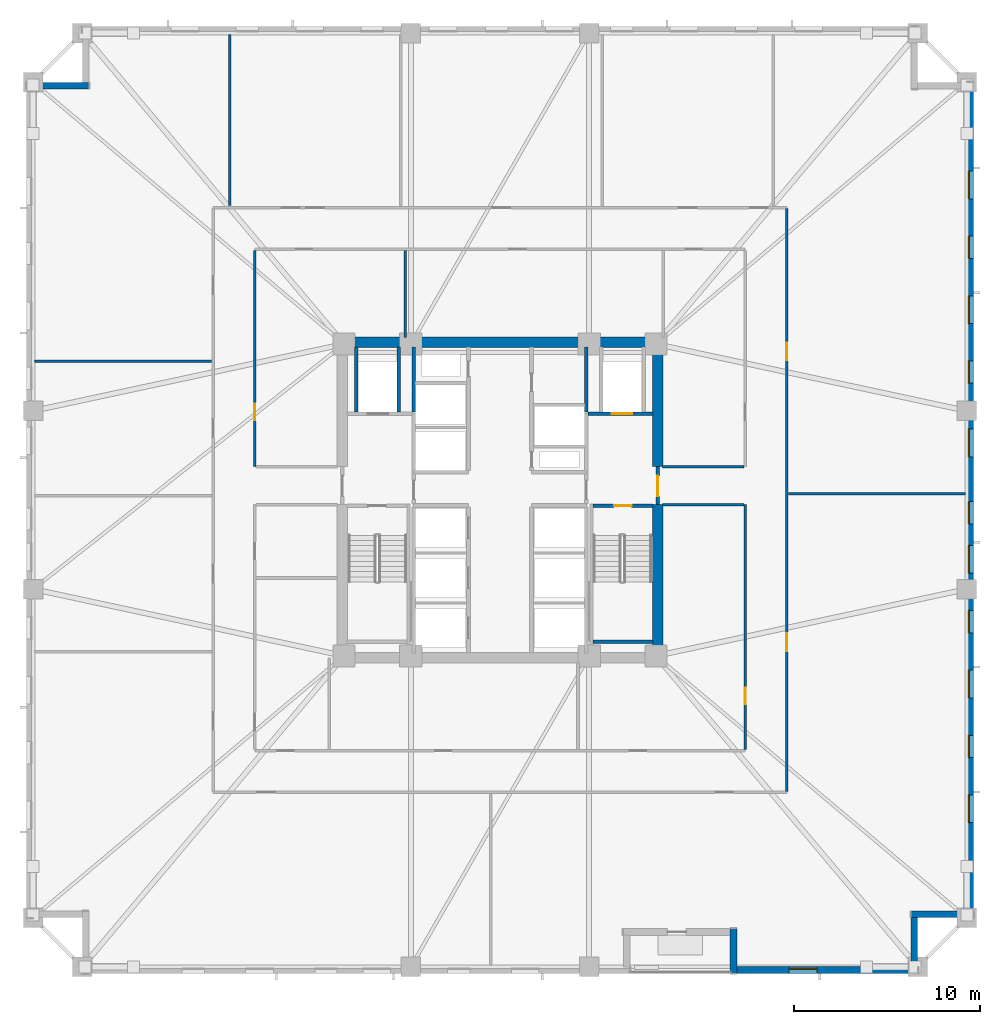
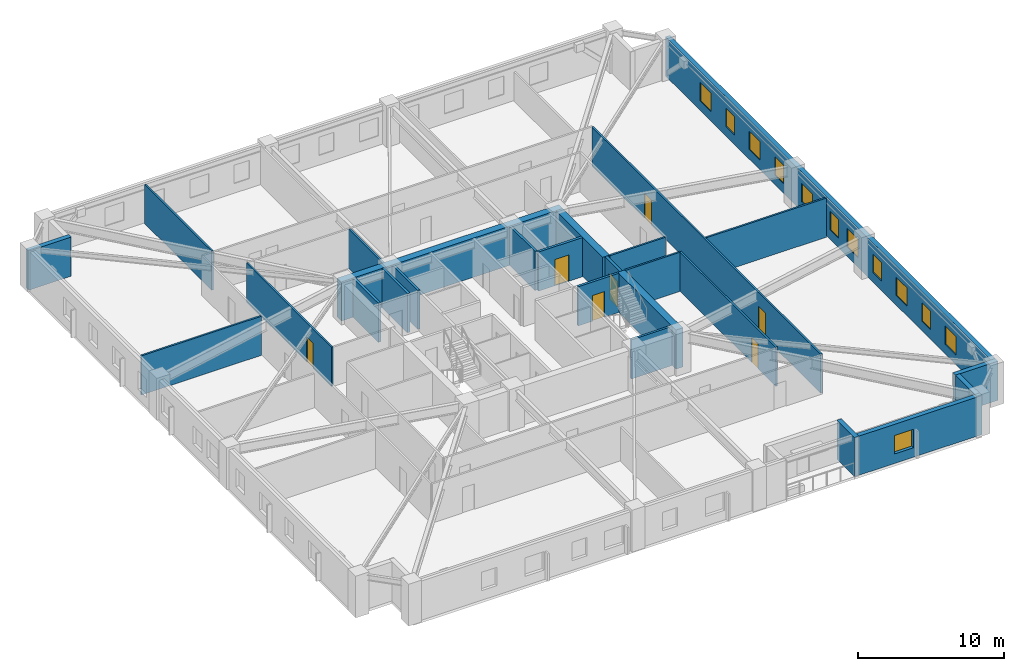
# One storey, part 4 of 11: 26 walls, 12 windows, 7 doors, 19 openings.
"""IFC4 building model written with IfcOpenShell, lengths in metres."""

from ifc_helpers import new_model, si_unit, direction, frame, frame_2d, origin, place, context, subcontext, project, spatial, rectangle, extrude, material, layer, layer_set, type_object, element, fill, save


model = new_model("IFC4")

# Units and contexts
model_context = context("Model", 3, precision=1e-05, world=origin(), true_north=direction((0.0, 1.0)))
body_context = subcontext(model_context, "Body", "Model", "MODEL_VIEW")
ifc_project = project(units=[si_unit("LENGTHUNIT", "METRE"), si_unit("AREAUNIT", "SQUARE_METRE"), si_unit("VOLUMEUNIT", "CUBIC_METRE"), si_unit("PLANEANGLEUNIT", "RADIAN"), si_unit("MASSUNIT", "GRAM", prefix="KILO")], contexts=[model_context])

# Site, building, storey
site_placement = place(None, origin())
site = spatial("IfcSite", under=ifc_project, at=site_placement, CompositionType="ELEMENT")
building_placement = place(site_placement, origin())
building = spatial("IfcBuilding", under=site, at=building_placement, Name="Cairnveth Concourse Tower", CompositionType="ELEMENT")
storey_placement = place(building_placement, frame((0.0, 0.0, 51.5)))
storey = spatial("IfcBuildingStorey", under=building, at=storey_placement, Name="L13", CompositionType="ELEMENT", Elevation=51.5)

# Walls
ifc_material_1 = material(Name="Concrete N80 (80 MPa)", Category="concrete")
ifc_layer_1 = layer(ifc_material_1, 0.550048828125)
ifc_layer_set_1 = layer_set([ifc_layer_1], Name="Concrete N80 (80 MPa)")
wall_type_1 = type_object("IfcWallType", Name="CORE SHEAR WALL 550", PredefinedType="SHEAR", material=ifc_layer_set_1)
wall_1_placement = place(storey_placement, frame((43.22509765625, 47.5, 0.0), z_axis=(0.0, 0.0, 1.0), x_axis=(1.0, 0.0, 0.0)))
element("IfcWall", 1, at=wall_1_placement, inside=storey, type_object=wall_type_1, Name="Core North Shear Wall L13", PredefinedType="SHEAR", context=body_context, shape_type="SweptSolid", body=[
    extrude(rectangle(XDim=17.5498046875, YDim=0.550048828125, at=frame_2d((8.77490234375, 0.0))), origin(), (0.0, 0.0, 1.0), 3.280029296875),
])
wall_2_placement = place(storey_placement, frame((60.5, 30.764892578125, 0.0), z_axis=(0.0, 0.0, 1.0), x_axis=(0.0, 1.0, 0.0)))
element("IfcWall", 2, at=wall_2_placement, inside=storey, type_object=wall_type_1, Name="Core East Shear Wall S L13", PredefinedType="SHEAR", context=body_context, shape_type="SweptSolid", body=[
    extrude(rectangle(XDim=7.985107421875, YDim=0.550048828125, at=frame_2d((3.99267578125, 0.0))), origin(), (0.0, 0.0, 1.0), 3.280029296875),
])
wall_3_placement = place(storey_placement, frame((60.5, 40.800048828125, 0.0), z_axis=(0.0, 0.0, 1.0), x_axis=(0.0, 1.0, 0.0)))
element("IfcWall", 3, at=wall_3_placement, inside=storey, type_object=wall_type_1, Name="Core East Shear Wall N L13", PredefinedType="SHEAR", context=body_context, shape_type="SweptSolid", body=[
    extrude(rectangle(XDim=6.43505859375, YDim=0.550048828125, at=frame_2d((3.217529296875, 0.0))), origin(), (0.0, 0.0, 1.0), 3.280029296875),
])
ifc_material_2 = material(Name="Concrete N50 (50 MPa)", Category="concrete")
ifc_layer_2 = layer(ifc_material_2, 0.179931640625)
ifc_layer_set_2 = layer_set([ifc_layer_2], Name="Concrete N50 (50 MPa)")
wall_type_2 = type_object("IfcWallType", Name="FIRE SHAFT WALL 180", PredefinedType="SOLIDWALL", material=ifc_layer_set_2)
for number, where, z_axis, x_axis, name in (
    (4, (47.35009765625, 43.735107421875, 0.0), (0.0, 0.0, 1.0), (0.0, 1.0, 0.0), "Interior Wall IW-L13-031"),
    (5, (56.64990234375, 43.735107421875, 0.0), (0.0, 0.0, 1.0), (0.0, 1.0, 0.0), "Interior Wall IW-L13-034"),
):
    element("IfcWall", number, at=place(storey_placement, frame(where, z_axis=z_axis, x_axis=x_axis)), inside=storey, type_object=wall_type_2, Name=name, PredefinedType="SOLIDWALL", context=body_context, shape_type="SweptSolid", body=[
        extrude(rectangle(XDim=3.5048828125, YDim=0.179931640625, at=frame_2d((1.75244140625, 0.0))), origin(), (0.0, 0.0, 1.0), 3.280029296875),
    ])

# Wall, opening, door
wall_4_placement = place(storey_placement, frame((57.0048828125, 38.68994140625, 0.0), z_axis=(0.0, 0.0, 1.0), x_axis=(1.0, 0.0, 0.0)))
wall_4 = element("IfcWall", 6, at=wall_4_placement, inside=storey, type_object=wall_type_2, Name="Stair ST-2 Shaft Wall NEAR L13", PredefinedType="SOLIDWALL", context=body_context, shape_type="SweptSolid", body=[
    extrude(rectangle(XDim=3.230224609375, YDim=0.179931640625, at=frame_2d((1.615234375, 0.0))), origin(), (0.0, 0.0, 1.0), 3.280029296875),
])
opening_1_placement = place(wall_4_placement, frame((1.139892578125, 0.0, 0.0)))
opening_1 = element("IfcOpeningElement", 7, at=opening_1_placement, cuts=wall_4, Name="Opening ID12", PredefinedType="OPENING", context=body_context, shape_type="SweptSolid", body=[
    extrude(rectangle(XDim=0.949951171875, YDim=2.14990234375, at=frame_2d((0.47509765625, 1.074951171875))), frame((0.0, 0.099853515625, 0.0), z_axis=(0.0, -1.0, 0.0), x_axis=(1.0, 0.0, 0.0)), (0.0, 0.0, 1.0), 0.199951171875),
])
ifc_material_3 = material(Name="Steel Grade 350", Category="steel")
door_type_1 = type_object("IfcDoorType", Name="FIRE STAIR DOOR 950X2150", OperationType="NOTDEFINED", PredefinedType="DOOR", material=ifc_material_3)
door_1_placement = place(opening_1_placement, origin())
door_1 = element("IfcDoor", 8, at=door_1_placement, inside=storey, type_object=door_type_1, Name="Stair ST-2 Fire Door L13", OperationType="SINGLE_SWING_RIGHT", OverallHeight=2.14990234375, OverallWidth=0.949951171875, PredefinedType="DOOR", context=body_context, shape_type="SweptSolid", body=[
    extrude(rectangle(XDim=0.949951171875, YDim=2.14990234375, at=frame_2d((0.47509765625, 1.074951171875))), frame((0.0, 0.02490234375, 0.0), z_axis=(0.0, -1.0, 0.0), x_axis=(1.0, 0.0, 0.0)), (0.0, 0.0, 1.0), 0.050048828125),
])
fill(opening_1, door_1)

# Walls
wall_5_placement = place(storey_placement, frame((57.0048828125, 31.360107421875, 0.0), z_axis=(0.0, 0.0, 1.0), x_axis=(1.0, 0.0, 0.0)))
element("IfcWall", 9, at=wall_5_placement, inside=storey, type_object=wall_type_2, Name="Stair ST-2 Shaft Wall FAR L13", PredefinedType="SOLIDWALL", context=body_context, shape_type="SweptSolid", body=[
    extrude(rectangle(XDim=3.230224609375, YDim=0.179931640625, at=frame_2d((1.615234375, 0.0))), origin(), (0.0, 0.0, 1.0), 3.280029296875),
])
ifc_layer_3 = layer(ifc_material_2, 0.199951171875)
ifc_layer_set_3 = layer_set([ifc_layer_3], Name="Concrete N50 (50 MPa)")
wall_type_3 = type_object("IfcWallType", Name="FIRE SHAFT WALL 200", PredefinedType="SOLIDWALL", material=ifc_layer_set_3)
for number, where, z_axis, x_axis, name in (
    (10, (46.550048828125, 43.735107421875, 0.0), (0.0, 0.0, 1.0), (0.0, 1.0, 0.0), "Interior Wall IW-L13-018"),
    (11, (44.25, 43.735107421875, 0.0), (0.0, 0.0, 1.0), (0.0, 1.0, 0.0), "Interior Wall IW-L13-019"),
):
    element("IfcWall", number, at=place(storey_placement, frame(where, z_axis=z_axis, x_axis=x_axis)), inside=storey, type_object=wall_type_3, Name=name, PredefinedType="SOLIDWALL", context=body_context, shape_type="SweptSolid", body=[
        extrude(rectangle(XDim=3.5048828125, YDim=0.199951171875, at=frame_2d((1.75244140625, 0.0))), origin(), (0.0, 0.0, 1.0), 3.280029296875),
    ])

# Wall, opening, door
wall_6_placement = place(storey_placement, frame((60.5, 38.75, 0.0), z_axis=(0.0, 0.0, 1.0), x_axis=(0.0, 1.0, 0.0)))
wall_6 = element("IfcWall", 12, at=wall_6_placement, inside=storey, type_object=wall_type_3, Name="Interior Wall IW-L13-020", PredefinedType="SOLIDWALL", context=body_context, shape_type="SweptSolid", body=[
    extrude(rectangle(XDim=2.050048828125, YDim=0.199951171875, at=frame_2d((1.02490234375, 0.0))), origin(), (0.0, 0.0, 1.0), 3.280029296875),
])
opening_2_placement = place(wall_6_placement, frame((0.449951171875, 0.0, 0.0)))
opening_2 = element("IfcOpeningElement", 13, at=opening_2_placement, cuts=wall_6, Name="Opening ID06", PredefinedType="OPENING", context=body_context, shape_type="SweptSolid", body=[
    extrude(rectangle(XDim=1.10009765625, YDim=2.14990234375, at=frame_2d((0.550048828125, 1.074951171875))), frame((0.0, 0.10986328125, 0.0), z_axis=(0.0, -1.0, 0.0), x_axis=(1.0, 0.0, 0.0)), (0.0, 0.0, 1.0), 0.219970703125),
])
door_type_2 = type_object("IfcDoorType", Name="FIRE CORRIDOR DOOR 1100X2150", OperationType="NOTDEFINED", PredefinedType="DOOR", material=ifc_material_3)
door_2_placement = place(opening_2_placement, origin())
door_2 = element("IfcDoor", 14, at=door_2_placement, inside=storey, type_object=door_type_2, Name="East Wing to FF Lobby Door L13", OperationType="SINGLE_SWING_RIGHT", OverallHeight=2.14990234375, OverallWidth=1.10009765625, PredefinedType="DOOR", context=body_context, shape_type="SweptSolid", body=[
    extrude(rectangle(XDim=1.10009765625, YDim=2.14990234375, at=frame_2d((0.550048828125, 1.074951171875))), frame((0.0, 0.02490234375, 0.0), z_axis=(0.0, -1.0, 0.0), x_axis=(1.0, 0.0, 0.0)), (0.0, 0.0, 1.0), 0.050048828125),
])
fill(opening_2, door_2)

wall_7_placement = place(storey_placement, frame((56.735107421875, 43.64990234375, 0.0), z_axis=(0.0, 0.0, 1.0), x_axis=(1.0, 0.0, 0.0)))
wall_7 = element("IfcWall", 15, at=wall_7_placement, inside=storey, type_object=wall_type_3, Name="Interior Wall IW-L13-022", PredefinedType="SOLIDWALL", context=body_context, shape_type="SweptSolid", body=[
    extrude(rectangle(XDim=3.5048828125, YDim=0.199951171875, at=frame_2d((1.75244140625, 0.0))), origin(), (0.0, 0.0, 1.0), 3.280029296875),
])
opening_3_placement = place(wall_7_placement, frame((1.294921875, 0.0, 0.0)))
opening_3 = element("IfcOpeningElement", 16, at=opening_3_placement, cuts=wall_7, Name="Opening LD-1", PredefinedType="OPENING", context=body_context, shape_type="SweptSolid", body=[
    extrude(rectangle(XDim=1.10009765625, YDim=2.199951171875, at=frame_2d((0.550048828125, 1.10009765625))), frame((0.0, 0.10986328125, 0.0), z_axis=(0.0, -1.0, 0.0), x_axis=(1.0, 0.0, 0.0)), (0.0, 0.0, 1.0), 0.219970703125),
])
ifc_material_4 = material(Name="Architectural Bronze Anodised Aluminium 6063-T6", Category="aluminium")
door_type_3 = type_object("IfcDoorType", Name="LIFT LANDING DOOR 1100X2200", OperationType="SLIDING_TO_LEFT", PredefinedType="DOOR", material=ifc_material_4)
door_3_placement = place(opening_3_placement, origin())
door_3 = element("IfcDoor", 17, at=door_3_placement, inside=storey, type_object=door_type_3, Name="Lift FFL2 Landing Door L13", OperationType="SLIDING_TO_LEFT", OverallHeight=2.199951171875, OverallWidth=1.10009765625, PredefinedType="DOOR", context=body_context, shape_type="SweptSolid", body=[
    extrude(rectangle(XDim=1.10009765625, YDim=2.199951171875, at=frame_2d((0.550048828125, 1.10009765625))), frame((0.0, 0.02490234375, 0.0), z_axis=(0.0, -1.0, 0.0), x_axis=(1.0, 0.0, 0.0)), (0.0, 0.0, 1.0), 0.050048828125),
])
fill(opening_3, door_3)

# Wall, openings, doors
ifc_material_5 = material(Name="Gypsum Plasterboard Partition", Category="gypsum")
ifc_layer_4 = layer(ifc_material_5, 0.139892578125)
ifc_layer_set_4 = layer_set([ifc_layer_4], Name="Gypsum Plasterboard Partition")
wall_type_4 = type_object("IfcWallType", Name="GYPSUM STUD PARTITION 140", PredefinedType="PARTITIONING", material=ifc_layer_set_4)
wall_8_placement = place(storey_placement, frame((67.449951171875, 23.304931640625, 0.0), z_axis=(0.0, 0.0, 1.0), x_axis=(0.0, 1.0, 0.0)))
wall_8 = element("IfcWall", 18, at=wall_8_placement, inside=storey, type_object=wall_type_4, Name="Interior Wall IW-L13-040", PredefinedType="PARTITIONING", context=body_context, shape_type="SweptSolid", body=[
    extrude(rectangle(XDim=31.39013671875, YDim=0.139892578125, at=frame_2d((15.695068359375, 0.0))), origin(), (0.0, 0.0, 1.0), 3.280029296875),
])
opening_4_placement = place(wall_8_placement, frame((7.560546875, 0.0, 0.0)))
opening_4 = element("IfcOpeningElement", 19, at=opening_4_placement, cuts=wall_8, Name="Opening ID11", PredefinedType="OPENING", context=body_context, shape_type="SweptSolid", body=[
    extrude(rectangle(XDim=0.9599609375, YDim=2.1201171875, at=frame_2d((0.47998046875, 1.06005859375))), frame((0.0, 0.079833984375, 0.0), z_axis=(0.0, -1.0, 0.0), x_axis=(1.0, 0.0, 0.0)), (0.0, 0.0, 1.0), 0.159912109375),
])
opening_5_placement = place(wall_8_placement, frame((23.210693359375, 0.0, 0.0)))
opening_5 = element("IfcOpeningElement", 20, at=opening_5_placement, cuts=wall_8, Name="Opening ID11", PredefinedType="OPENING", context=body_context, shape_type="SweptSolid", body=[
    extrude(rectangle(XDim=0.9599609375, YDim=2.1201171875, at=frame_2d((0.47998046875, 1.06005859375))), frame((0.0, 0.079833984375, 0.0), z_axis=(0.0, -1.0, 0.0), x_axis=(1.0, 0.0, 0.0)), (0.0, 0.0, 1.0), 0.159912109375),
])
ifc_material_6 = material(Name="Solid Core Hardwood Timber Leaf", Category="wood")
door_type_4 = type_object("IfcDoorType", Name="INTERIOR SINGLE DOOR 960X2150", OperationType="NOTDEFINED", PredefinedType="DOOR", material=ifc_material_6)
door_4_placement = place(opening_4_placement, origin())
door_4 = element("IfcDoor", 21, at=door_4_placement, inside=storey, type_object=door_type_4, Name="Office Door L13-E1", OperationType="SINGLE_SWING_LEFT", OverallHeight=2.1201171875, OverallWidth=0.9599609375, PredefinedType="DOOR", context=body_context, shape_type="SweptSolid", body=[
    extrude(rectangle(XDim=0.9599609375, YDim=2.1201171875, at=frame_2d((0.47998046875, 1.06005859375))), frame((0.0, 0.02490234375, 0.0), z_axis=(0.0, -1.0, 0.0), x_axis=(1.0, 0.0, 0.0)), (0.0, 0.0, 1.0), 0.050048828125),
])
fill(opening_4, door_4)
door_5_placement = place(opening_5_placement, origin())
door_5 = element("IfcDoor", 22, at=door_5_placement, inside=storey, type_object=door_type_4, Name="Office Door L13-E2", OperationType="SINGLE_SWING_RIGHT", OverallHeight=2.1201171875, OverallWidth=0.9599609375, PredefinedType="DOOR", context=body_context, shape_type="SweptSolid", body=[
    extrude(rectangle(XDim=0.9599609375, YDim=2.1201171875, at=frame_2d((0.47998046875, 1.06005859375))), frame((0.0, 0.02490234375, 0.0), z_axis=(0.0, -1.0, 0.0), x_axis=(1.0, 0.0, 0.0)), (0.0, 0.0, 1.0), 0.050048828125),
])
fill(opening_5, door_5)

# Wall, opening, door
wall_9_placement = place(storey_placement, frame((38.800048828125, 40.800048828125, 0.0), z_axis=(0.0, 0.0, 1.0), x_axis=(0.0, 1.0, 0.0)))
wall_9 = element("IfcWall", 23, at=wall_9_placement, inside=storey, type_object=wall_type_4, Name="Interior Wall IW-L13-044", PredefinedType="PARTITIONING", context=body_context, shape_type="SweptSolid", body=[
    extrude(rectangle(XDim=11.64501953125, YDim=0.139892578125, at=frame_2d((5.822509765625, 0.0))), origin(), (0.0, 0.0, 1.0), 3.280029296875),
])
opening_6_placement = place(wall_9_placement, frame((2.5, 0.0, 0.0)))
opening_6 = element("IfcOpeningElement", 24, at=opening_6_placement, cuts=wall_9, Name="Opening ID18", PredefinedType="OPENING", context=body_context, shape_type="SweptSolid", body=[
    extrude(rectangle(XDim=0.8798828125, YDim=2.10009765625, at=frame_2d((0.43994140625, 1.050048828125))), frame((0.0, 0.079833984375, 0.0), z_axis=(0.0, -1.0, 0.0), x_axis=(1.0, 0.0, 0.0)), (0.0, 0.0, 1.0), 0.159912109375),
])
door_type_5 = type_object("IfcDoorType", Name="INTERIOR SINGLE DOOR 880X2100", OperationType="NOTDEFINED", PredefinedType="DOOR", material=ifc_material_6)
door_6_placement = place(opening_6_placement, origin())
door_6 = element("IfcDoor", 25, at=door_6_placement, inside=storey, type_object=door_type_5, Name="Interior Door DR-L13-021", OperationType="SINGLE_SWING_LEFT", OverallHeight=2.10009765625, OverallWidth=0.8798828125, PredefinedType="DOOR", context=body_context, shape_type="SweptSolid", body=[
    extrude(rectangle(XDim=0.8798828125, YDim=2.10009765625, at=frame_2d((0.43994140625, 1.050048828125))), frame((0.0, 0.02490234375, 0.0), z_axis=(0.0, -1.0, 0.0), x_axis=(1.0, 0.0, 0.0)), (0.0, 0.0, 1.0), 0.050048828125),
])
fill(opening_6, door_6)

wall_10_placement = place(storey_placement, frame((65.199951171875, 25.554931640625, 0.0), z_axis=(0.0, 0.0, 1.0), x_axis=(0.0, 1.0, 0.0)))
wall_10 = element("IfcWall", 26, at=wall_10_placement, inside=storey, type_object=wall_type_4, Name="Interior Wall IW-L13-047", PredefinedType="PARTITIONING", context=body_context, shape_type="SweptSolid", body=[
    extrude(rectangle(XDim=13.195068359375, YDim=0.139892578125, at=frame_2d((6.59765625, 0.0))), origin(), (0.0, 0.0, 1.0), 3.280029296875),
])
opening_7_placement = place(wall_10_placement, frame((2.445068359375, 0.0, 0.0)))
opening_7 = element("IfcOpeningElement", 27, at=opening_7_placement, cuts=wall_10, Name="Opening ID18", PredefinedType="OPENING", context=body_context, shape_type="SweptSolid", body=[
    extrude(rectangle(XDim=0.8798828125, YDim=2.10009765625, at=frame_2d((0.43994140625, 1.050048828125))), frame((0.0, 0.079833984375, 0.0), z_axis=(0.0, -1.0, 0.0), x_axis=(1.0, 0.0, 0.0)), (0.0, 0.0, 1.0), 0.159912109375),
])
door_7_placement = place(opening_7_placement, origin())
door_7 = element("IfcDoor", 28, at=door_7_placement, inside=storey, type_object=door_type_5, Name="Interior Door DR-L13-022", OperationType="SINGLE_SWING_RIGHT", OverallHeight=2.10009765625, OverallWidth=0.8798828125, PredefinedType="DOOR", context=body_context, shape_type="SweptSolid", body=[
    extrude(rectangle(XDim=0.8798828125, YDim=2.10009765625, at=frame_2d((0.43994140625, 1.050048828125))), frame((0.0, 0.02490234375, 0.0), z_axis=(0.0, -1.0, 0.0), x_axis=(1.0, 0.0, 0.0)), (0.0, 0.0, 1.0), 0.050048828125),
])
fill(opening_7, door_7)

# Walls
for number, where, z_axis, x_axis, name in (
    (29, (60.760009765625, 38.75, 0.0), (0.0, 0.0, 1.0), (1.0, 0.0, 0.0), "Interior Wall IW-L13-049"),
    (30, (60.760009765625, 40.800048828125, 0.0), (0.0, 0.0, 1.0), (1.0, 0.0, 0.0), "Interior Wall IW-L13-050"),
):
    element("IfcWall", number, at=place(storey_placement, frame(where, z_axis=z_axis, x_axis=x_axis)), inside=storey, type_object=wall_type_4, Name=name, PredefinedType="PARTITIONING", context=body_context, shape_type="SweptSolid", body=[
        extrude(rectangle(XDim=4.385009765625, YDim=0.139892578125, at=frame_2d((2.1923828125, 0.0))), origin(), (0.0, 0.0, 1.0), 3.280029296875),
    ])
wall_11_placement = place(storey_placement, frame((46.89990234375, 47.760009765625, 0.0), z_axis=(0.0, 0.0, 1.0), x_axis=(0.0, 1.0, 0.0)))
element("IfcWall", 31, at=wall_11_placement, inside=storey, type_object=wall_type_4, Name="Interior Wall IW-L13-053", PredefinedType="PARTITIONING", context=body_context, shape_type="SweptSolid", body=[
    extrude(rectangle(XDim=4.68505859375, YDim=0.139892578125, at=frame_2d((2.342529296875, 0.0))), origin(), (0.0, 0.0, 1.0), 3.280029296875),
])
wall_12_placement = place(storey_placement, frame((37.439453125, 54.85009765625, 0.0), z_axis=(0.0, 0.0, 1.0), x_axis=(0.0, 1.0, 0.0)))
element("IfcWall", 32, at=wall_12_placement, inside=storey, type_object=wall_type_4, Name="Interior Wall IW-L13-057", PredefinedType="PARTITIONING", context=body_context, shape_type="SweptSolid", body=[
    extrude(rectangle(XDim=9.22998046875, YDim=0.139892578125, at=frame_2d((4.614990234375, 0.0))), origin(), (0.0, 0.0, 1.0), 3.280029296875),
])
for number, where, z_axis, x_axis, name in (
    (33, (26.919921875, 46.48388671875, 0.0), (0.0, 0.0, 1.0), (1.0, 0.0, 0.0), "Interior Wall IW-L13-063"),
    (34, (67.550048828125, 39.34130859375, 0.0), (0.0, 0.0, 1.0), (1.0, 0.0, 0.0), "Interior Wall IW-L13-064"),
):
    element("IfcWall", number, at=place(storey_placement, frame(where, z_axis=z_axis, x_axis=x_axis)), inside=storey, type_object=wall_type_4, Name=name, PredefinedType="PARTITIONING", context=body_context, shape_type="SweptSolid", body=[
        extrude(rectangle(XDim=9.530029296875, YDim=0.139892578125, at=frame_2d((4.76513671875, 0.0))), origin(), (0.0, 0.0, 1.0), 3.280029296875),
    ])
ifc_material_7 = material(Name="Hawthorn Red-Ochre Fired Clay Brick Masonry", Category="masonry")
ifc_layer_5 = layer(ifc_material_7, 0.360107421875)
ifc_layer_set_5 = layer_set([ifc_layer_5], Name="Hawthorn Red-Ochre Fired Clay Brick Masonry")
wall_type_5 = type_object("IfcWallType", Name="ZONE 1 BRICK PIER SPANDREL WALL 360", PredefinedType="SOLIDWALL", material=ifc_layer_set_5)
wall_13_placement = place(storey_placement, frame((26.5, 61.320068359375, 0.0), z_axis=(0.0, 0.0, 1.0), x_axis=(1.0, 0.0, 0.0)))
element("IfcWall", 35, at=wall_13_placement, inside=storey, type_object=wall_type_5, Name="Exterior Wall EW-L13-S04", PredefinedType="SOLIDWALL", context=body_context, shape_type="SweptSolid", body=[
    extrude(rectangle(XDim=3.360107421875, YDim=0.360107421875, at=frame_2d((1.68017578125, 0.0))), origin(), (0.0, 0.0, 1.0), 3.280029296875),
])

# Wall, openings, windows
wall_14_placement = place(storey_placement, frame((77.320068359375, 61.5, 0.0), z_axis=(0.0, 0.0, 1.0), x_axis=(0.0, -1.0, 0.0)))
wall_14 = element("IfcWall", 36, at=wall_14_placement, inside=storey, type_object=wall_type_5, Name="Exterior Wall EW-L13-S09", PredefinedType="SOLIDWALL", context=body_context, shape_type="SweptSolid", body=[
    extrude(rectangle(XDim=44.662109375, YDim=0.360107421875, at=frame_2d((22.3310546875, 0.0))), origin(), (0.0, 0.0, 1.0), 3.280029296875),
])
opening_8_placement = place(wall_14_placement, frame((4.780029296875, 0.0, 0.800048828125)))
opening_8 = element("IfcOpeningElement", 37, at=opening_8_placement, cuts=wall_14, Name="Opening W03", PredefinedType="OPENING", context=body_context, shape_type="SweptSolid", body=[
    extrude(rectangle(XDim=1.5, YDim=1.5439453125, at=frame_2d((0.75, 0.77197265625))), frame((0.0, 0.18994140625, 0.0), z_axis=(0.0, -1.0, 0.0), x_axis=(1.0, 0.0, 0.0)), (0.0, 0.0, 1.0), 0.380126953125),
])
opening_9_placement = place(wall_14_placement, frame((8.290283203125, 0.0, 0.800048828125)))
opening_9 = element("IfcOpeningElement", 38, at=opening_9_placement, cuts=wall_14, Name="Opening W01", PredefinedType="OPENING", context=body_context, shape_type="SweptSolid", body=[
    extrude(rectangle(XDim=1.199951171875, YDim=1.5439453125, at=frame_2d((0.60009765625, 0.77197265625))), frame((0.0, 0.18994140625, 0.0), z_axis=(0.0, -1.0, 0.0), x_axis=(1.0, 0.0, 0.0)), (0.0, 0.0, 1.0), 0.380126953125),
])
opening_10_placement = place(wall_14_placement, frame((11.50048828125, 0.0, 0.800048828125)))
opening_10 = element("IfcOpeningElement", 39, at=opening_10_placement, cuts=wall_14, Name="Opening W03", PredefinedType="OPENING", context=body_context, shape_type="SweptSolid", body=[
    extrude(rectangle(XDim=1.5, YDim=1.5439453125, at=frame_2d((0.75, 0.77197265625))), frame((0.0, 0.18994140625, 0.0), z_axis=(0.0, -1.0, 0.0), x_axis=(1.0, 0.0, 0.0)), (0.0, 0.0, 1.0), 0.380126953125),
])
opening_11_placement = place(wall_14_placement, frame((15.010498046875, 0.0, 0.800048828125)))
opening_11 = element("IfcOpeningElement", 40, at=opening_11_placement, cuts=wall_14, Name="Opening W01", PredefinedType="OPENING", context=body_context, shape_type="SweptSolid", body=[
    extrude(rectangle(XDim=1.199951171875, YDim=1.5439453125, at=frame_2d((0.60009765625, 0.77197265625))), frame((0.0, 0.18994140625, 0.0), z_axis=(0.0, -1.0, 0.0), x_axis=(1.0, 0.0, 0.0)), (0.0, 0.0, 1.0), 0.380126953125),
])
opening_12_placement = place(wall_14_placement, frame((18.6708984375, 0.0, 0.800048828125)))
opening_12 = element("IfcOpeningElement", 41, at=opening_12_placement, cuts=wall_14, Name="Opening W03", PredefinedType="OPENING", context=body_context, shape_type="SweptSolid", body=[
    extrude(rectangle(XDim=1.5, YDim=1.5439453125, at=frame_2d((0.75, 0.77197265625))), frame((0.0, 0.18994140625, 0.0), z_axis=(0.0, -1.0, 0.0), x_axis=(1.0, 0.0, 0.0)), (0.0, 0.0, 1.0), 0.380126953125),
])
opening_13_placement = place(wall_14_placement, frame((22.5810546875, 0.0, 0.800048828125)))
opening_13 = element("IfcOpeningElement", 42, at=opening_13_placement, cuts=wall_14, Name="Opening W01", PredefinedType="OPENING", context=body_context, shape_type="SweptSolid", body=[
    extrude(rectangle(XDim=1.199951171875, YDim=1.5439453125, at=frame_2d((0.60009765625, 0.77197265625))), frame((0.0, 0.18994140625, 0.0), z_axis=(0.0, -1.0, 0.0), x_axis=(1.0, 0.0, 0.0)), (0.0, 0.0, 1.0), 0.380126953125),
])
opening_14_placement = place(wall_14_placement, frame((24.941162109375, 0.0, 0.800048828125)))
opening_14 = element("IfcOpeningElement", 43, at=opening_14_placement, cuts=wall_14, Name="Opening W03", PredefinedType="OPENING", context=body_context, shape_type="SweptSolid", body=[
    extrude(rectangle(XDim=1.5, YDim=1.5439453125, at=frame_2d((0.75, 0.77197265625))), frame((0.0, 0.18994140625, 0.0), z_axis=(0.0, -1.0, 0.0), x_axis=(1.0, 0.0, 0.0)), (0.0, 0.0, 1.0), 0.380126953125),
])
opening_15_placement = place(wall_14_placement, frame((28.451416015625, 0.0, 0.800048828125)))
opening_15 = element("IfcOpeningElement", 44, at=opening_15_placement, cuts=wall_14, Name="Opening W01", PredefinedType="OPENING", context=body_context, shape_type="SweptSolid", body=[
    extrude(rectangle(XDim=1.199951171875, YDim=1.5439453125, at=frame_2d((0.60009765625, 0.77197265625))), frame((0.0, 0.18994140625, 0.0), z_axis=(0.0, -1.0, 0.0), x_axis=(1.0, 0.0, 0.0)), (0.0, 0.0, 1.0), 0.380126953125),
])
opening_16_placement = place(wall_14_placement, frame((31.66162109375, 0.0, 0.800048828125)))
opening_16 = element("IfcOpeningElement", 45, at=opening_16_placement, cuts=wall_14, Name="Opening W03", PredefinedType="OPENING", context=body_context, shape_type="SweptSolid", body=[
    extrude(rectangle(XDim=1.5, YDim=1.5439453125, at=frame_2d((0.75, 0.77197265625))), frame((0.0, 0.18994140625, 0.0), z_axis=(0.0, -1.0, 0.0), x_axis=(1.0, 0.0, 0.0)), (0.0, 0.0, 1.0), 0.380126953125),
])
opening_17_placement = place(wall_14_placement, frame((35.171630859375, 0.0, 0.800048828125)))
opening_17 = element("IfcOpeningElement", 46, at=opening_17_placement, cuts=wall_14, Name="Opening W01", PredefinedType="OPENING", context=body_context, shape_type="SweptSolid", body=[
    extrude(rectangle(XDim=1.199951171875, YDim=1.5439453125, at=frame_2d((0.60009765625, 0.77197265625))), frame((0.0, 0.18994140625, 0.0), z_axis=(0.0, -1.0, 0.0), x_axis=(1.0, 0.0, 0.0)), (0.0, 0.0, 1.0), 0.380126953125),
])
opening_18_placement = place(wall_14_placement, frame((38.3818359375, 0.0, 0.800048828125)))
opening_18 = element("IfcOpeningElement", 47, at=opening_18_placement, cuts=wall_14, Name="Opening W03", PredefinedType="OPENING", context=body_context, shape_type="SweptSolid", body=[
    extrude(rectangle(XDim=1.5, YDim=1.5439453125, at=frame_2d((0.75, 0.77197265625))), frame((0.0, 0.18994140625, 0.0), z_axis=(0.0, -1.0, 0.0), x_axis=(1.0, 0.0, 0.0)), (0.0, 0.0, 1.0), 0.380126953125),
])
ifc_material_8 = material(Name="Double Glazed Low-E Clear Glass", Category="glass")
window_type_1 = type_object("IfcWindowType", Name="DEEP-SET GOTHIC LANCET WINDOW 1200X1800", PartitioningType="DOUBLE_PANEL_VERTICAL", PredefinedType="WINDOW", material=ifc_material_8)
window_1_placement = place(opening_9_placement, origin())
window_1 = element("IfcWindow", 48, at=window_1_placement, inside=storey, type_object=window_type_1, Name="Gothic Lancet Window L13-9-2", OverallHeight=1.5439453125, OverallWidth=1.199951171875, PartitioningType="SINGLE_PANEL", PredefinedType="WINDOW", context=body_context, shape_type="SweptSolid", body=[
    extrude(rectangle(XDim=1.199951171875, YDim=1.5439453125, at=frame_2d((0.60009765625, 0.77197265625))), frame((0.0, -0.050048828125, 0.0), z_axis=(0.0, -1.0, 0.0), x_axis=(1.0, 0.0, 0.0)), (0.0, 0.0, 1.0), 0.06005859375),
])
fill(opening_9, window_1)
window_2_placement = place(opening_11_placement, origin())
window_2 = element("IfcWindow", 49, at=window_2_placement, inside=storey, type_object=window_type_1, Name="Gothic Lancet Window L13-9-4", OverallHeight=1.5439453125, OverallWidth=1.199951171875, PartitioningType="SINGLE_PANEL", PredefinedType="WINDOW", context=body_context, shape_type="SweptSolid", body=[
    extrude(rectangle(XDim=1.199951171875, YDim=1.5439453125, at=frame_2d((0.60009765625, 0.77197265625))), frame((0.0, -0.050048828125, 0.0), z_axis=(0.0, -1.0, 0.0), x_axis=(1.0, 0.0, 0.0)), (0.0, 0.0, 1.0), 0.06005859375),
])
fill(opening_11, window_2)
window_3_placement = place(opening_13_placement, origin())
window_3 = element("IfcWindow", 50, at=window_3_placement, inside=storey, type_object=window_type_1, Name="Gothic Lancet Window L13-9-6", OverallHeight=1.5439453125, OverallWidth=1.199951171875, PartitioningType="SINGLE_PANEL", PredefinedType="WINDOW", context=body_context, shape_type="SweptSolid", body=[
    extrude(rectangle(XDim=1.199951171875, YDim=1.5439453125, at=frame_2d((0.60009765625, 0.77197265625))), frame((0.0, -0.050048828125, 0.0), z_axis=(0.0, -1.0, 0.0), x_axis=(1.0, 0.0, 0.0)), (0.0, 0.0, 1.0), 0.06005859375),
])
fill(opening_13, window_3)
window_4_placement = place(opening_15_placement, origin())
window_4 = element("IfcWindow", 51, at=window_4_placement, inside=storey, type_object=window_type_1, Name="Gothic Lancet Window L13-9-8", OverallHeight=1.5439453125, OverallWidth=1.199951171875, PartitioningType="SINGLE_PANEL", PredefinedType="WINDOW", context=body_context, shape_type="SweptSolid", body=[
    extrude(rectangle(XDim=1.199951171875, YDim=1.5439453125, at=frame_2d((0.60009765625, 0.77197265625))), frame((0.0, -0.050048828125, 0.0), z_axis=(0.0, -1.0, 0.0), x_axis=(1.0, 0.0, 0.0)), (0.0, 0.0, 1.0), 0.06005859375),
])
fill(opening_15, window_4)
window_5_placement = place(opening_17_placement, origin())
window_5 = element("IfcWindow", 52, at=window_5_placement, inside=storey, type_object=window_type_1, Name="Gothic Lancet Window L13-9-10", OverallHeight=1.5439453125, OverallWidth=1.199951171875, PartitioningType="SINGLE_PANEL", PredefinedType="WINDOW", context=body_context, shape_type="SweptSolid", body=[
    extrude(rectangle(XDim=1.199951171875, YDim=1.5439453125, at=frame_2d((0.60009765625, 0.77197265625))), frame((0.0, -0.050048828125, 0.0), z_axis=(0.0, -1.0, 0.0), x_axis=(1.0, 0.0, 0.0)), (0.0, 0.0, 1.0), 0.06005859375),
])
fill(opening_17, window_5)
window_type_2 = type_object("IfcWindowType", Name="DEEP-SET GOTHIC LANCET WINDOW 1500X1800", PartitioningType="DOUBLE_PANEL_VERTICAL", PredefinedType="WINDOW", material=ifc_material_8)
window_6_placement = place(opening_8_placement, origin())
window_6 = element("IfcWindow", 53, at=window_6_placement, inside=storey, type_object=window_type_2, Name="Gothic Lancet Window L13-9-1", OverallHeight=1.5439453125, OverallWidth=1.5, PartitioningType="SINGLE_PANEL", PredefinedType="WINDOW", context=body_context, shape_type="SweptSolid", body=[
    extrude(rectangle(XDim=1.5, YDim=1.5439453125, at=frame_2d((0.75, 0.77197265625))), frame((0.0, -0.050048828125, 0.0), z_axis=(0.0, -1.0, 0.0), x_axis=(1.0, 0.0, 0.0)), (0.0, 0.0, 1.0), 0.06005859375),
])
fill(opening_8, window_6)
window_7_placement = place(opening_10_placement, origin())
window_7 = element("IfcWindow", 54, at=window_7_placement, inside=storey, type_object=window_type_2, Name="Gothic Lancet Window L13-9-3", OverallHeight=1.5439453125, OverallWidth=1.5, PartitioningType="SINGLE_PANEL", PredefinedType="WINDOW", context=body_context, shape_type="SweptSolid", body=[
    extrude(rectangle(XDim=1.5, YDim=1.5439453125, at=frame_2d((0.75, 0.77197265625))), frame((0.0, -0.050048828125, 0.0), z_axis=(0.0, -1.0, 0.0), x_axis=(1.0, 0.0, 0.0)), (0.0, 0.0, 1.0), 0.06005859375),
])
fill(opening_10, window_7)
window_8_placement = place(opening_12_placement, origin())
window_8 = element("IfcWindow", 55, at=window_8_placement, inside=storey, type_object=window_type_2, Name="Gothic Lancet Window L13-9-5", OverallHeight=1.5439453125, OverallWidth=1.5, PartitioningType="SINGLE_PANEL", PredefinedType="WINDOW", context=body_context, shape_type="SweptSolid", body=[
    extrude(rectangle(XDim=1.5, YDim=1.5439453125, at=frame_2d((0.75, 0.77197265625))), frame((0.0, -0.050048828125, 0.0), z_axis=(0.0, -1.0, 0.0), x_axis=(1.0, 0.0, 0.0)), (0.0, 0.0, 1.0), 0.06005859375),
])
fill(opening_12, window_8)
window_9_placement = place(opening_14_placement, origin())
window_9 = element("IfcWindow", 56, at=window_9_placement, inside=storey, type_object=window_type_2, Name="Gothic Lancet Window L13-9-7", OverallHeight=1.5439453125, OverallWidth=1.5, PartitioningType="SINGLE_PANEL", PredefinedType="WINDOW", context=body_context, shape_type="SweptSolid", body=[
    extrude(rectangle(XDim=1.5, YDim=1.5439453125, at=frame_2d((0.75, 0.77197265625))), frame((0.0, -0.050048828125, 0.0), z_axis=(0.0, -1.0, 0.0), x_axis=(1.0, 0.0, 0.0)), (0.0, 0.0, 1.0), 0.06005859375),
])
fill(opening_14, window_9)
window_10_placement = place(opening_16_placement, origin())
window_10 = element("IfcWindow", 57, at=window_10_placement, inside=storey, type_object=window_type_2, Name="Gothic Lancet Window L13-9-9", OverallHeight=1.5439453125, OverallWidth=1.5, PartitioningType="SINGLE_PANEL", PredefinedType="WINDOW", context=body_context, shape_type="SweptSolid", body=[
    extrude(rectangle(XDim=1.5, YDim=1.5439453125, at=frame_2d((0.75, 0.77197265625))), frame((0.0, -0.050048828125, 0.0), z_axis=(0.0, -1.0, 0.0), x_axis=(1.0, 0.0, 0.0)), (0.0, 0.0, 1.0), 0.06005859375),
])
fill(opening_16, window_10)
window_11_placement = place(opening_18_placement, origin())
window_11 = element("IfcWindow", 58, at=window_11_placement, inside=storey, type_object=window_type_2, Name="Gothic Lancet Window L13-9-11", OverallHeight=1.5439453125, OverallWidth=1.5, PartitioningType="SINGLE_PANEL", PredefinedType="WINDOW", context=body_context, shape_type="SweptSolid", body=[
    extrude(rectangle(XDim=1.5, YDim=1.5439453125, at=frame_2d((0.75, 0.77197265625))), frame((0.0, -0.050048828125, 0.0), z_axis=(0.0, -1.0, 0.0), x_axis=(1.0, 0.0, 0.0)), (0.0, 0.0, 1.0), 0.06005859375),
])
fill(opening_18, window_11)

# Walls
wall_15_placement = place(storey_placement, frame((77.5, 16.679931640625, 0.0), z_axis=(0.0, 0.0, 1.0), x_axis=(-1.0, 0.0, 0.0)))
element("IfcWall", 59, at=wall_15_placement, inside=storey, type_object=wall_type_5, Name="Exterior Wall EW-L13-S10", PredefinedType="SOLIDWALL", context=body_context, shape_type="SweptSolid", body=[
    extrude(rectangle(XDim=3.360107421875, YDim=0.360107421875, at=frame_2d((1.68017578125, 0.0))), origin(), (0.0, 0.0, 1.0), 3.280029296875),
])
wall_16_placement = place(storey_placement, frame((74.320068359375, 16.52197265625, 0.0), z_axis=(0.0, 0.0, 1.0), x_axis=(0.0, -1.0, 0.0)))
element("IfcWall", 60, at=wall_16_placement, inside=storey, type_object=wall_type_5, Name="Exterior Wall EW-L13-S11", PredefinedType="SOLIDWALL", context=body_context, shape_type="SweptSolid", body=[
    extrude(rectangle(XDim=2.68408203125, YDim=0.360107421875, at=frame_2d((1.342041015625, 0.0))), origin(), (0.0, 0.0, 1.0), 3.280029296875),
])

# Wall, opening, window
wall_17_placement = place(storey_placement, frame((74.5, 13.679931640625, 0.0), z_axis=(0.0, 0.0, 1.0), x_axis=(-1.0, 0.0, 0.0)))
wall_17 = element("IfcWall", 61, at=wall_17_placement, inside=storey, type_object=wall_type_5, Name="Exterior Wall EW-L13-S12", PredefinedType="SOLIDWALL", context=body_context, shape_type="SweptSolid", body=[
    extrude(rectangle(XDim=9.761962890625, YDim=0.360107421875, at=frame_2d((4.880859375, 0.0))), origin(), (0.0, 0.0, 1.0), 3.280029296875),
])
opening_19_placement = place(wall_17_placement, frame((5.430908203125, 0.0, 0.800048828125)))
opening_19 = element("IfcOpeningElement", 62, at=opening_19_placement, cuts=wall_17, Name="Opening W03", PredefinedType="OPENING", context=body_context, shape_type="SweptSolid", body=[
    extrude(rectangle(XDim=1.5, YDim=1.5439453125, at=frame_2d((0.75, 0.77197265625))), frame((0.0, 0.18994140625, 0.0), z_axis=(0.0, -1.0, 0.0), x_axis=(1.0, 0.0, 0.0)), (0.0, 0.0, 1.0), 0.380126953125),
])
window_12_placement = place(opening_19_placement, origin())
window_12 = element("IfcWindow", 63, at=window_12_placement, inside=storey, type_object=window_type_2, Name="Gothic Lancet Window L13-12-1", OverallHeight=1.5439453125, OverallWidth=1.5, PartitioningType="SINGLE_PANEL", PredefinedType="WINDOW", context=body_context, shape_type="SweptSolid", body=[
    extrude(rectangle(XDim=1.5, YDim=1.5439453125, at=frame_2d((0.75, 0.77197265625))), frame((0.0, -0.050048828125, 0.0), z_axis=(0.0, -1.0, 0.0), x_axis=(1.0, 0.0, 0.0)), (0.0, 0.0, 1.0), 0.06005859375),
])
fill(opening_19, window_12)

# Wall
wall_18_placement = place(storey_placement, frame((64.580078125, 13.5, 0.0), z_axis=(0.0, 0.0, 1.0), x_axis=(0.0, 1.0, 0.0)))
element("IfcWall", 64, at=wall_18_placement, inside=storey, type_object=wall_type_5, Name="Exterior Wall EW-L13-S13", PredefinedType="SOLIDWALL", context=body_context, shape_type="SweptSolid", body=[
    extrude(rectangle(XDim=2.409912109375, YDim=0.360107421875, at=frame_2d((1.205078125, 0.0))), origin(), (0.0, 0.0, 1.0), 3.280029296875),
])

save(model, "model.ifc")
